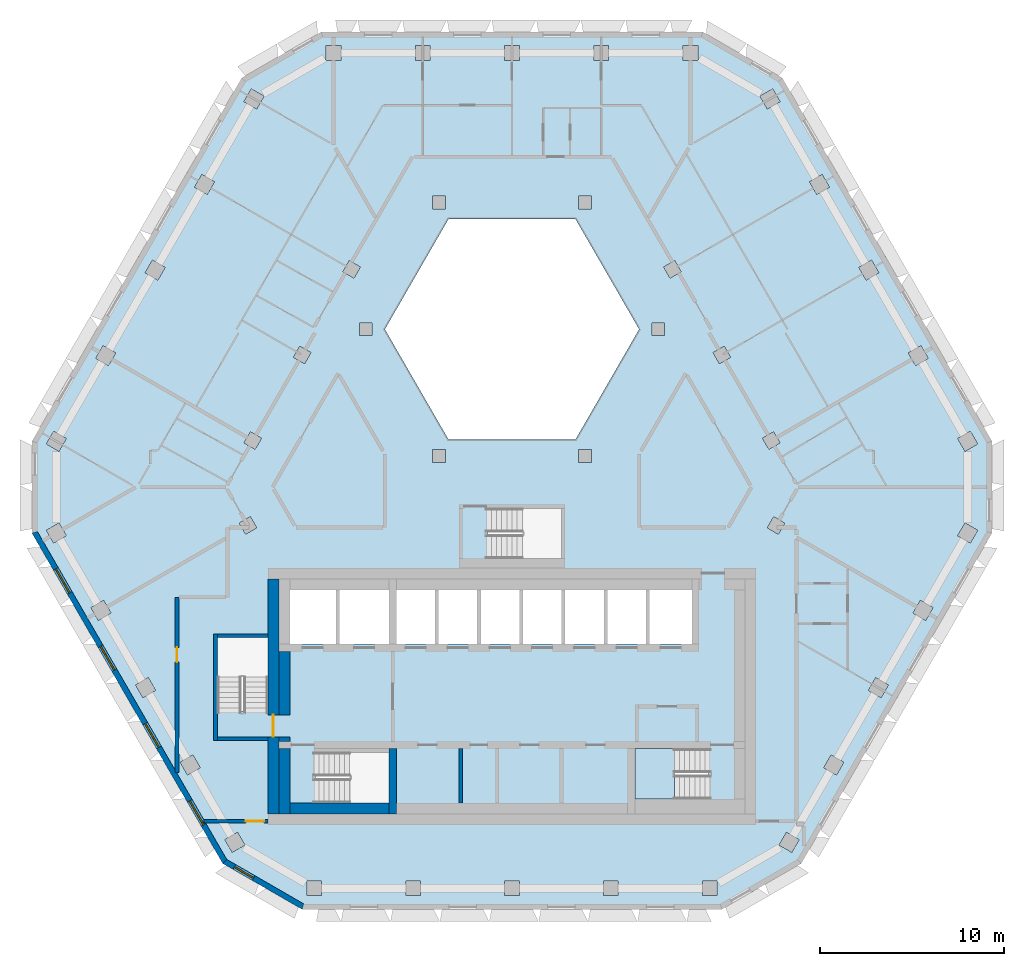
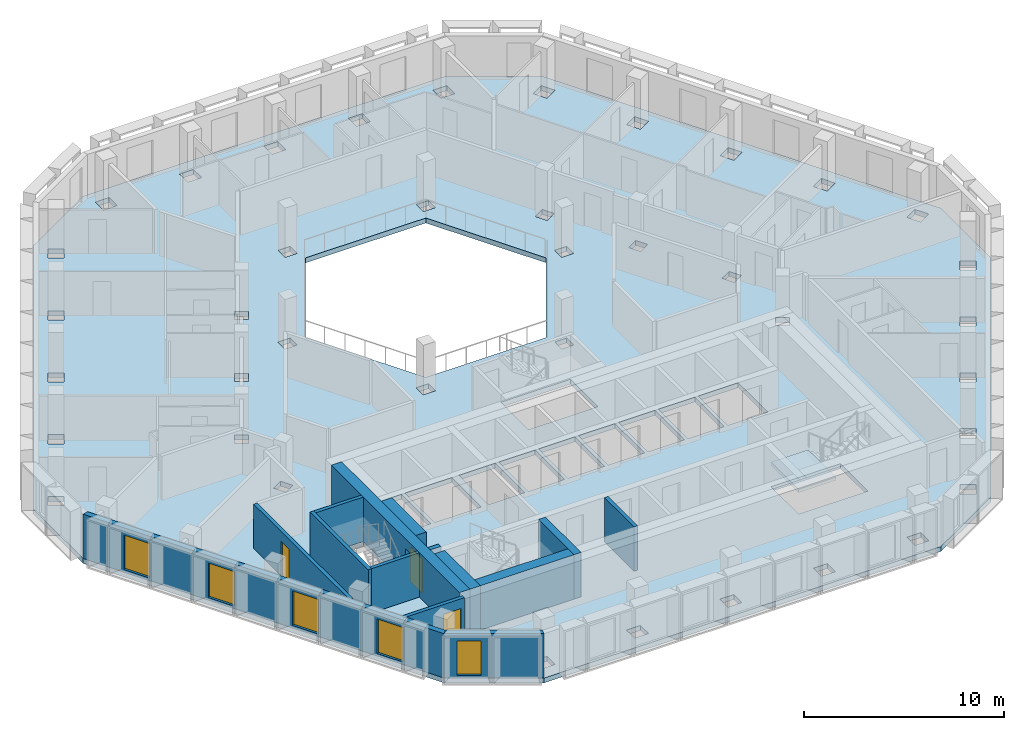
# One storey, part 2 of 15: 14 walls, 5 windows, 3 doors, 2 slabs, 8 openings, 1 element without a shape of its own.
"""IFC4 building model written with IfcOpenShell, lengths in metres."""

from ifc_helpers import new_model, si_unit, direction, frame, frame_2d, origin, place, context, subcontext, project, spatial, polyline, rectangle, outline, extrude, material, layer, layer_set, type_object, element, fill, aggregate, save


model = new_model("IFC4")

# Units and contexts
model_context = context("Model", 3, precision=1e-05, world=origin(), true_north=direction((0.0, 1.0)))
body_context = subcontext(model_context, "Body", "Model", "MODEL_VIEW")
ifc_project = project(units=[si_unit("LENGTHUNIT", "METRE"), si_unit("AREAUNIT", "SQUARE_METRE"), si_unit("VOLUMEUNIT", "CUBIC_METRE"), si_unit("PLANEANGLEUNIT", "RADIAN"), si_unit("MASSUNIT", "GRAM", prefix="KILO")], contexts=[model_context])

# Site, building, storey
site_placement = place(None, origin())
site = spatial("IfcSite", under=ifc_project, at=site_placement, CompositionType="ELEMENT")
building_placement = place(site_placement, origin())
building = spatial("IfcBuilding", under=site, at=building_placement, Name="Beryl Residences", CompositionType="ELEMENT")
storey_placement = place(building_placement, frame((0.0, 0.0, 187.199951171875)))
storey = spatial("IfcBuildingStorey", under=building, at=storey_placement, Name="L57", CompositionType="ELEMENT", Elevation=187.199951171875)

# Slab
ifc_material_1 = material(Name="Concrete C40/50", Category="concrete")
ifc_layer_1 = layer(ifc_material_1, 0.300048828125)
ifc_layer_set_1 = layer_set([ifc_layer_1], Name="SL7 PT floor slab 300 mm C40/50")
slab_type_1 = type_object("IfcSlabType", Name="SL7 PT floor slab 300 mm C40/50", PredefinedType="FLOOR", material=ifc_layer_set_1)
slab_1_placement = place(storey_placement, frame((0.0, 0.0, -0.300048828125)))
element("IfcSlab", 1, at=slab_1_placement, inside=storey, type_object=slab_type_1, Name="L57 slab 1", PredefinedType="FLOOR", context=body_context, shape_type="SweptSolid", body=[
    extrude(outline(polyline([(26.154052734375, -3.10009765625), (15.760986328125, -21.10009765625), (11.430908203125, -23.60009765625), (-11.430908203125, -23.60009765625), (-15.760986328125, -21.10009765625), (-26.154052734375, -3.10009765625), (-26.154052734375, 1.89990234375), (-14.721923828125, 21.699951171875), (-10.39208984375, 24.199951171875), (10.39208984375, 24.199951171875), (14.721923828125, 21.699951171875), (26.154052734375, 1.89990234375), (26.154052734375, -3.10009765625)]), holes=[polyline([(24.971923828125, 2.446044921875), (24.280029296875, 2.0458984375), (24.679931640625, 1.35400390625), (25.3720703125, 1.75390625), (24.971923828125, 2.446044921875)]), polyline([(24.678955078125, -2.554931640625), (24.279052734375, -3.2470703125), (24.970947265625, -3.64697265625), (25.37109375, -2.955078125), (24.678955078125, -2.554931640625)]), polyline([(22.2470703125, -6.76806640625), (21.846923828125, -7.4599609375), (22.5390625, -7.860107421875), (22.93896484375, -7.16796875), (22.2470703125, -6.76806640625)]), polyline([(22.280029296875, 7.10791015625), (21.587890625, 6.7080078125), (21.988037109375, 6.01611328125), (22.679931640625, 6.416015625), (22.280029296875, 7.10791015625)]), polyline([(19.4150390625, -11.672119140625), (20.10693359375, -12.072021484375), (20.507080078125, -11.3798828125), (19.81494140625, -10.97998046875), (19.4150390625, -11.672119140625)]), polyline([(18.89599609375, 11.37109375), (19.2958984375, 10.678955078125), (19.988037109375, 11.0791015625), (19.587890625, 11.77099609375), (18.89599609375, 11.37109375)]), polyline([(18.074951171875, -15.592041015625), (17.383056640625, -15.19189453125), (16.98291015625, -15.884033203125), (17.675048828125, -16.283935546875), (18.074951171875, -15.592041015625)]), polyline([(16.89599609375, 16.43408203125), (16.2041015625, 16.033935546875), (16.60400390625, 15.342041015625), (17.2958984375, 15.741943359375), (16.89599609375, 16.43408203125)]), polyline([(15.64306640625, -19.804931640625), (14.950927734375, -19.405029296875), (14.551025390625, -20.096923828125), (15.242919921875, -20.4970703125), (15.64306640625, -19.804931640625)]), polyline([(14.860107421875, -2.56103515625), (14.25390625, -2.2109375), (13.904052734375, -2.81689453125), (14.510009765625, -3.1669921875), (14.860107421875, -2.56103515625)]), polyline([(14.2041015625, 21.095947265625), (13.511962890625, 20.696044921875), (13.912109375, 20.00390625), (14.60400390625, 20.404052734375), (14.2041015625, 21.095947265625)]), polyline([(13.64501953125, 2.06494140625), (13.9951171875, 1.458984375), (14.60107421875, 1.80908203125), (14.2509765625, 2.4150390625), (13.64501953125, 2.06494140625)]), polyline([(11.55908203125, 7.077880859375), (10.952880859375, 6.72802734375), (11.302978515625, 6.1220703125), (11.908935546875, 6.471923828125), (11.55908203125, 7.077880859375)]), polyline([(11.1689453125, -22.050048828125), (10.368896484375, -22.050048828125), (10.368896484375, -22.85009765625), (11.1689453125, -22.85009765625), (11.1689453125, -22.050048828125)]), polyline([(6.699951171875, -14.85009765625), (6.699951171875, -17.60009765625), (10.699951171875, -17.60009765625), (10.699951171875, -14.85009765625), (6.699951171875, -14.85009765625)]), polyline([(9.327880859375, 23.449951171875), (9.327880859375, 22.64990234375), (10.1279296875, 22.64990234375), (10.1279296875, 23.449951171875), (9.327880859375, 23.449951171875)]), polyline([(7.5, -9.14990234375), (9.800048828125, -9.14990234375), (9.800048828125, -6.199951171875), (7.5, -6.199951171875), (7.5, -9.14990234375)]), polyline([(8.260986328125, 11.39111328125), (8.611083984375, 10.784912109375), (9.217041015625, 11.135009765625), (8.866943359375, 11.740966796875), (8.260986328125, 11.39111328125)]), polyline([(8.31689453125, 7.64990234375), (8.31689453125, 8.35009765625), (7.616943359375, 8.35009765625), (7.616943359375, 7.64990234375), (8.31689453125, 7.64990234375)]), polyline([(5.199951171875, -9.14990234375), (7.300048828125, -9.14990234375), (7.300048828125, -6.199951171875), (5.199951171875, -6.199951171875), (5.199951171875, -9.14990234375)]), polyline([(3.464111328125, 14.0), (-3.464111328125, 14.0), (-6.92822265625, 8.0), (-3.464111328125, 2.0), (3.464111328125, 2.0), (6.92822265625, 8.0), (3.464111328125, 14.0)]), polyline([(5.784912109375, -22.85009765625), (5.784912109375, -22.050048828125), (4.985107421875, -22.050048828125), (4.985107421875, -22.85009765625), (5.784912109375, -22.85009765625)]), polyline([(4.464111328125, 23.449951171875), (4.464111328125, 22.64990234375), (5.263916015625, 22.64990234375), (5.263916015625, 23.449951171875), (4.464111328125, 23.449951171875)]), polyline([(5.0, -9.14990234375), (5.0, -6.199951171875), (2.89990234375, -6.199951171875), (2.89990234375, -9.14990234375), (5.0, -9.14990234375)]), polyline([(4.333984375, 14.550048828125), (4.333984375, 15.25), (3.634033203125, 15.25), (3.634033203125, 14.550048828125), (4.333984375, 14.550048828125)]), polyline([(4.333984375, 1.449951171875), (3.634033203125, 1.449951171875), (3.634033203125, 0.75), (4.333984375, 0.75), (4.333984375, 1.449951171875)]), polyline([(2.699951171875, -4.5), (2.699951171875, -1.75), (-1.300048828125, -1.75), (-1.300048828125, -4.5), (2.699951171875, -4.5)]), polyline([(0.60009765625, -9.14990234375), (2.699951171875, -9.14990234375), (2.699951171875, -6.199951171875), (0.60009765625, -6.199951171875), (0.60009765625, -9.14990234375)]), polyline([(-0.39892578125, -22.050048828125), (-0.39892578125, -22.85009765625), (0.40087890625, -22.85009765625), (0.40087890625, -22.050048828125), (-0.39892578125, -22.050048828125)]), polyline([(0.39990234375, 22.64990234375), (0.39990234375, 23.449951171875), (-0.39990234375, 23.449951171875), (-0.39990234375, 22.64990234375), (0.39990234375, 22.64990234375)]), polyline([(0.39990234375, -6.199951171875), (-1.699951171875, -6.199951171875), (-1.699951171875, -9.14990234375), (0.39990234375, -9.14990234375), (0.39990234375, -6.199951171875)]), polyline([(-4.0, -9.14990234375), (-1.89990234375, -9.14990234375), (-1.89990234375, -6.199951171875), (-4.0, -6.199951171875), (-4.0, -9.14990234375)]), polyline([(-3.634033203125, 15.25), (-4.333984375, 15.25), (-4.333984375, 14.550048828125), (-3.634033203125, 14.550048828125), (-3.634033203125, 15.25)]), polyline([(-3.634033203125, 0.75), (-3.634033203125, 1.449951171875), (-4.333984375, 1.449951171875), (-4.333984375, 0.75), (-3.634033203125, 0.75)]), polyline([(-6.300048828125, -9.14990234375), (-4.199951171875, -9.14990234375), (-4.199951171875, -6.199951171875), (-6.300048828125, -6.199951171875), (-6.300048828125, -9.14990234375)]), polyline([(-5.263916015625, 23.449951171875), (-5.263916015625, 22.64990234375), (-4.464111328125, 22.64990234375), (-4.464111328125, 23.449951171875), (-5.263916015625, 23.449951171875)]), polyline([(-4.98291015625, -22.85009765625), (-4.98291015625, -22.050048828125), (-5.782958984375, -22.050048828125), (-5.782958984375, -22.85009765625), (-4.98291015625, -22.85009765625)]), polyline([(-6.699951171875, -6.199951171875), (-9.39990234375, -6.199951171875), (-9.39990234375, -9.14990234375), (-6.699951171875, -9.14990234375), (-6.699951171875, -6.199951171875)]), polyline([(-10.699951171875, -15.050048828125), (-10.699951171875, -17.800048828125), (-6.699951171875, -17.800048828125), (-6.699951171875, -15.050048828125), (-10.699951171875, -15.050048828125)]), polyline([(-7.616943359375, 7.64990234375), (-7.616943359375, 8.35009765625), (-8.31689453125, 8.35009765625), (-8.31689453125, 7.64990234375), (-7.616943359375, 7.64990234375)]), polyline([(-8.611083984375, 10.784912109375), (-8.260986328125, 11.39111328125), (-8.866943359375, 11.740966796875), (-9.217041015625, 11.135009765625), (-8.611083984375, 10.784912109375)]), polyline([(-10.1279296875, 23.449951171875), (-10.1279296875, 22.64990234375), (-9.327880859375, 22.64990234375), (-9.327880859375, 23.449951171875), (-10.1279296875, 23.449951171875)]), polyline([(-12.10009765625, -9.14990234375), (-9.60009765625, -9.14990234375), (-9.60009765625, -6.199951171875), (-12.10009765625, -6.199951171875), (-12.10009765625, -9.14990234375)]), polyline([(-11.1669921875, -22.050048828125), (-11.1669921875, -22.85009765625), (-10.366943359375, -22.85009765625), (-10.366943359375, -22.050048828125), (-11.1669921875, -22.050048828125)]), polyline([(-11.908935546875, 6.471923828125), (-11.302978515625, 6.1220703125), (-10.952880859375, 6.72802734375), (-11.55908203125, 7.077880859375), (-11.908935546875, 6.471923828125)]), polyline([(-13.300048828125, -8.800048828125), (-16.050048828125, -8.800048828125), (-16.050048828125, -12.800048828125), (-13.300048828125, -12.800048828125), (-13.300048828125, -8.800048828125)]), polyline([(-13.912109375, 20.00390625), (-13.511962890625, 20.696044921875), (-14.2041015625, 21.095947265625), (-14.60400390625, 20.404052734375), (-13.912109375, 20.00390625)]), polyline([(-13.9951171875, 1.458984375), (-13.64501953125, 2.06494140625), (-14.2509765625, 2.4150390625), (-14.60107421875, 1.80908203125), (-13.9951171875, 1.458984375)]), polyline([(-14.510986328125, -3.1650390625), (-13.905029296875, -2.81494140625), (-14.2548828125, -2.208984375), (-14.861083984375, -2.55908203125), (-14.510986328125, -3.1650390625)]), polyline([(-14.552001953125, -20.094970703125), (-14.951904296875, -19.403076171875), (-15.64404296875, -19.802978515625), (-15.243896484375, -20.4951171875), (-14.552001953125, -20.094970703125)]), polyline([(-16.60400390625, 15.342041015625), (-16.2041015625, 16.033935546875), (-16.89599609375, 16.43408203125), (-17.2958984375, 15.741943359375), (-16.60400390625, 15.342041015625)]), polyline([(-16.98388671875, -15.882080078125), (-17.384033203125, -15.18994140625), (-18.075927734375, -15.590087890625), (-17.676025390625, -16.281982421875), (-16.98388671875, -15.882080078125)]), polyline([(-18.89599609375, 11.37109375), (-19.587890625, 11.77099609375), (-19.988037109375, 11.0791015625), (-19.2958984375, 10.678955078125), (-18.89599609375, 11.37109375)]), polyline([(-20.10791015625, -12.070068359375), (-19.416015625, -11.669921875), (-19.81591796875, -10.97802734375), (-20.508056640625, -11.3779296875), (-20.10791015625, -12.070068359375)]), polyline([(-22.679931640625, 6.416015625), (-21.988037109375, 6.01611328125), (-21.587890625, 6.7080078125), (-22.280029296875, 7.10791015625), (-22.679931640625, 6.416015625)]), polyline([(-21.847900390625, -7.4580078125), (-22.248046875, -6.76611328125), (-22.93994140625, -7.166015625), (-22.5400390625, -7.85791015625), (-21.847900390625, -7.4580078125)]), polyline([(-25.3720703125, 1.75390625), (-24.679931640625, 1.35400390625), (-24.280029296875, 2.0458984375), (-24.971923828125, 2.446044921875), (-25.3720703125, 1.75390625)]), polyline([(-24.280029296875, -3.2451171875), (-24.679931640625, -2.552978515625), (-25.3720703125, -2.952880859375), (-24.971923828125, -3.64501953125), (-24.280029296875, -3.2451171875)])]), origin(), (0.0, 0.0, 1.0), 0.300048828125),
])

# Stair, slab
ifc_material_2 = material(Name="Concrete C40/50", Category="concrete")
stair_type = type_object("IfcStairType", Name="ST1 protected exit stair, half-turn, 1300 mm flights", PredefinedType="HALF_TURN_STAIR", material=ifc_material_2)
stair_placement = place(storey_placement, origin())
stair = element("IfcStair", 2, at=stair_placement, inside=storey, type_object=stair_type, Name="L57 PROTECTED EXIT STAIR ST-3", PredefinedType="HALF_TURN_STAIR")
ifc_material_3 = material(Name="Concrete C40/50", Category="concrete")
ifc_layer_2 = layer(ifc_material_3, 0.199951171875)
ifc_layer_set_2 = layer_set([ifc_layer_2], Name="SLD1 stair landing 200 mm")
slab_type_2 = type_object("IfcSlabType", Name="SLD1 stair landing 200 mm", PredefinedType="LANDING", material=ifc_layer_set_2)
slab_2_placement = place(storey_placement, frame((0.0, 0.0, 1.300048828125)))
slab_2 = element("IfcSlab", 3, at=slab_2_placement, type_object=slab_type_2, Name="ST-3 landing 1", PredefinedType="LANDING", context=body_context, shape_type="SweptSolid", body=[
    extrude(outline(polyline([(8.840087890625, -14.85009765625), (6.699951171875, -14.85009765625), (6.699951171875, -17.60009765625), (8.840087890625, -17.60009765625), (8.840087890625, -14.85009765625)])), origin(), (0.0, 0.0, 1.0), 0.199951171875),
])
aggregate(stair, [slab_2])

# Wall, openings, windows
ifc_material_4 = material(Name="Composite metal panel with mineral wool insulation")
ifc_layer_3 = layer(ifc_material_4, 0.300048828125)
ifc_layer_set_3 = layer_set([ifc_layer_3], Name="ES1 pale metal composite panel wall 300 mm")
wall_type_1 = type_object("IfcWallType", Name="ES1 pale metal composite panel wall 300 mm", PredefinedType="SOLIDWALL", material=ifc_layer_set_3)
wall_1_placement = place(storey_placement, frame((-26.02392578125, -3.02490234375, 0.0), z_axis=(0.0, 0.0, 1.0), x_axis=(0.500018670445, -0.86601462413, 0.0)))
wall_1 = element("IfcWall", 4, at=wall_1_placement, inside=storey, type_object=wall_type_1, Name="ES1 external wall L57 SW", PredefinedType="SOLIDWALL", context=body_context, shape_type="SweptSolid", body=[
    extrude(outline(polyline([(0.0, -0.14990234375), (20.784912109375, -0.14990234375), (20.70458984375, 0.14990234375), (0.080322265625, 0.14990234375), (0.0, -0.14990234375)])), origin(), (0.0, 0.0, 1.0), 2.699951171875),
])
opening_1_placement = place(wall_1_placement, frame((2.345947265625, 0.0, 0.14990234375)))
opening_1 = element("IfcOpeningElement", 5, at=opening_1_placement, cuts=wall_1, Name="Opening W1", PredefinedType="OPENING", context=body_context, shape_type="SweptSolid", body=[
    extrude(rectangle(XDim=1.5, YDim=2.10009765625, at=frame_2d((0.75, 1.050048828125))), frame((0.0, 0.159912109375, 0.0), z_axis=(0.0, -1.0, 0.0), x_axis=(1.0, 0.0, 0.0)), (0.0, 0.0, 1.0), 0.320068359375),
])
opening_2_placement = place(wall_1_placement, frame((7.2099609375, 0.0, 0.14990234375)))
opening_2 = element("IfcOpeningElement", 6, at=opening_2_placement, cuts=wall_1, Name="Opening W1", PredefinedType="OPENING", context=body_context, shape_type="SweptSolid", body=[
    extrude(rectangle(XDim=1.5, YDim=2.10009765625, at=frame_2d((0.75, 1.050048828125))), frame((0.0, 0.159912109375, 0.0), z_axis=(0.0, -1.0, 0.0), x_axis=(1.0, 0.0, 0.0)), (0.0, 0.0, 1.0), 0.320068359375),
])
opening_3_placement = place(wall_1_placement, frame((12.072998046875, 0.0, 0.14990234375)))
opening_3 = element("IfcOpeningElement", 7, at=opening_3_placement, cuts=wall_1, Name="Opening W1", PredefinedType="OPENING", context=body_context, shape_type="SweptSolid", body=[
    extrude(rectangle(XDim=1.5, YDim=2.10009765625, at=frame_2d((0.75, 1.050048828125))), frame((0.0, 0.159912109375, 0.0), z_axis=(0.0, -1.0, 0.0), x_axis=(1.0, 0.0, 0.0)), (0.0, 0.0, 1.0), 0.320068359375),
])
opening_4_placement = place(wall_1_placement, frame((16.93798828125, 0.0, 0.14990234375)))
opening_4 = element("IfcOpeningElement", 8, at=opening_4_placement, cuts=wall_1, Name="Opening W1", PredefinedType="OPENING", context=body_context, shape_type="SweptSolid", body=[
    extrude(rectangle(XDim=1.5, YDim=2.10009765625, at=frame_2d((0.75, 1.050048828125))), frame((0.0, 0.159912109375, 0.0), z_axis=(0.0, -1.0, 0.0), x_axis=(1.0, 0.0, 0.0)), (0.0, 0.0, 1.0), 0.320068359375),
])
ifc_material_5 = material(Name="Aluminium and clear glass", Category="aluminium")
window_type_1 = type_object("IfcWindowType", Name="W1 cell window 1500 x 2100 mm", PartitioningType="SINGLE_PANEL", PredefinedType="WINDOW", material=ifc_material_5)
window_1_placement = place(opening_1_placement, origin())
window_1 = element("IfcWindow", 9, at=window_1_placement, inside=storey, type_object=window_type_1, Name="W1 window L57 SW 2", OverallHeight=2.10009765625, OverallWidth=1.5, PartitioningType="SINGLE_PANEL", PredefinedType="WINDOW", context=body_context, shape_type="SweptSolid", body=[
    extrude(rectangle(XDim=1.5, YDim=2.10009765625, at=frame_2d((0.75, 1.050048828125))), frame((0.0, 0.030029296875, 0.0), z_axis=(0.0, -1.0, 0.0), x_axis=(1.0, 0.0, 0.0)), (0.0, 0.0, 1.0), 0.06005859375),
])
fill(opening_1, window_1)
window_2_placement = place(opening_2_placement, origin())
window_2 = element("IfcWindow", 10, at=window_2_placement, inside=storey, type_object=window_type_1, Name="W1 window L57 SW 4", OverallHeight=2.10009765625, OverallWidth=1.5, PartitioningType="SINGLE_PANEL", PredefinedType="WINDOW", context=body_context, shape_type="SweptSolid", body=[
    extrude(rectangle(XDim=1.5, YDim=2.10009765625, at=frame_2d((0.75, 1.050048828125))), frame((0.0, 0.030029296875, 0.0), z_axis=(0.0, -1.0, 0.0), x_axis=(1.0, 0.0, 0.0)), (0.0, 0.0, 1.0), 0.06005859375),
])
fill(opening_2, window_2)
window_3_placement = place(opening_3_placement, origin())
window_3 = element("IfcWindow", 11, at=window_3_placement, inside=storey, type_object=window_type_1, Name="W1 window L57 SW 6", OverallHeight=2.10009765625, OverallWidth=1.5, PartitioningType="SINGLE_PANEL", PredefinedType="WINDOW", context=body_context, shape_type="SweptSolid", body=[
    extrude(rectangle(XDim=1.5, YDim=2.10009765625, at=frame_2d((0.75, 1.050048828125))), frame((0.0, 0.030029296875, 0.0), z_axis=(0.0, -1.0, 0.0), x_axis=(1.0, 0.0, 0.0)), (0.0, 0.0, 1.0), 0.06005859375),
])
fill(opening_3, window_3)
window_4_placement = place(opening_4_placement, origin())
window_4 = element("IfcWindow", 12, at=window_4_placement, inside=storey, type_object=window_type_1, Name="W1 window L57 SW 8", OverallHeight=2.10009765625, OverallWidth=1.5, PartitioningType="SINGLE_PANEL", PredefinedType="WINDOW", context=body_context, shape_type="SweptSolid", body=[
    extrude(rectangle(XDim=1.5, YDim=2.10009765625, at=frame_2d((0.75, 1.050048828125))), frame((0.0, 0.030029296875, 0.0), z_axis=(0.0, -1.0, 0.0), x_axis=(1.0, 0.0, 0.0)), (0.0, 0.0, 1.0), 0.06005859375),
])
fill(opening_4, window_4)

# Wall, opening, window
wall_2_placement = place(storey_placement, frame((-15.68603515625, -20.969970703125, 0.0), z_axis=(0.0, 0.0, 1.0), x_axis=(0.866022959057, -0.500004234368, 0.0)))
wall_2 = element("IfcWall", 13, at=wall_2_placement, inside=storey, type_object=wall_type_1, Name="ES1 external wall L57 SW-S", PredefinedType="SOLIDWALL", context=body_context, shape_type="SweptSolid", body=[
    extrude(outline(polyline([(0.0, -0.14990234375), (5.0, -0.14990234375), (4.919677734375, 0.14990234375), (0.080322265625, 0.14990234375), (0.0, -0.14990234375)])), origin(), (0.0, 0.0, 1.0), 2.699951171875),
])
opening_5_placement = place(wall_2_placement, frame((0.64990234375, 0.0, 0.14990234375)))
opening_5 = element("IfcOpeningElement", 14, at=opening_5_placement, cuts=wall_2, Name="Opening W2", PredefinedType="OPENING", context=body_context, shape_type="SweptSolid", body=[
    extrude(rectangle(XDim=1.199951171875, YDim=2.10009765625, at=frame_2d((0.60009765625, 1.050048828125))), frame((0.0, 0.159912109375, 0.0), z_axis=(0.0, -1.0, 0.0), x_axis=(1.0, 0.0, 0.0)), (0.0, 0.0, 1.0), 0.320068359375),
])
ifc_material_6 = material(Name="Aluminium and clear glass", Category="aluminium")
window_type_2 = type_object("IfcWindowType", Name="W2 chamfer window 1200 x 2100 mm", PartitioningType="SINGLE_PANEL", PredefinedType="WINDOW", material=ifc_material_6)
window_5_placement = place(opening_5_placement, origin())
window_5 = element("IfcWindow", 15, at=window_5_placement, inside=storey, type_object=window_type_2, Name="W2 window L57 SW-S 1", OverallHeight=2.10009765625, OverallWidth=1.199951171875, PartitioningType="SINGLE_PANEL", PredefinedType="WINDOW", context=body_context, shape_type="SweptSolid", body=[
    extrude(rectangle(XDim=1.199951171875, YDim=2.10009765625, at=frame_2d((0.60009765625, 1.050048828125))), frame((0.0, 0.030029296875, 0.0), z_axis=(0.0, -1.0, 0.0), x_axis=(1.0, 0.0, 0.0)), (0.0, 0.0, 1.0), 0.06005859375),
])
fill(opening_5, window_5)

# Walls
ifc_material_7 = material(Name="Concrete masonry", Category="masonry")
ifc_layer_4 = layer(ifc_material_7, 0.25)
ifc_layer_set_4 = layer_set([ifc_layer_4], Name="PT13-250 lobby wall 250 mm")
wall_type_2 = type_object("IfcWallType", Name="PT13-250 lobby wall 250 mm", PredefinedType="PARTITIONING", material=ifc_layer_set_4)
wall_3_placement = place(storey_placement, frame((-12.699951171875, -14.324951171875, 0.0), z_axis=(0.0, 0.0, 1.0), x_axis=(1.0, 0.0, 0.0)))
element("IfcWall", 16, at=wall_3_placement, inside=storey, type_object=wall_type_2, Name="Lobby wall 05", PredefinedType="PARTITIONING", context=body_context, shape_type="SweptSolid", body=[
    extrude(rectangle(XDim=0.599853515625, YDim=0.25, at=frame_2d((0.2998046875, 0.0))), origin(), (0.0, 0.0, 1.0), 2.699951171875),
])
ifc_material_8 = material(Name="Concrete masonry", Category="masonry")
ifc_layer_5 = layer(ifc_material_8, 0.60009765625)
ifc_layer_set_5 = layer_set([ifc_layer_5], Name="PT13-600 lobby wall 600 mm")
wall_type_3 = type_object("IfcWallType", Name="PT13-600 lobby wall 600 mm", PredefinedType="PARTITIONING", material=ifc_layer_set_5)
wall_4_placement = place(storey_placement, frame((-12.39990234375, -13.0, 0.0), z_axis=(0.0, 0.0, 1.0), x_axis=(0.0, 1.0, 0.0)))
element("IfcWall", 17, at=wall_4_placement, inside=storey, type_object=wall_type_3, Name="Lobby wall 06", PredefinedType="PARTITIONING", context=body_context, shape_type="SweptSolid", body=[
    extrude(rectangle(XDim=3.449951171875, YDim=0.60009765625, at=frame_2d((1.72509765625, 0.0))), origin(), (0.0, 0.0, 1.0), 2.699951171875),
])

# Wall, opening, door
ifc_material_9 = material(Name="Double stud gypsum board wall")
ifc_layer_6 = layer(ifc_material_9, 0.199951171875)
ifc_layer_set_6 = layer_set([ifc_layer_6], Name="PT4 corridor wall 200 mm double stud")
wall_type_4 = type_object("IfcWallType", Name="PT4 corridor wall 200 mm double stud", PredefinedType="PARTITIONING", material=ifc_layer_set_6)
wall_5_placement = place(storey_placement, frame((-18.25, -16.152099609375, 0.0), z_axis=(0.0, 0.0, 1.0), x_axis=(0.0, 1.0, 0.0)))
wall_5 = element("IfcWall", 18, at=wall_5_placement, inside=storey, type_object=wall_type_4, Name="Wall PT4 L57 025", PredefinedType="PARTITIONING", context=body_context, shape_type="SweptSolid", body=[
    extrude(rectangle(XDim=9.551025390625, YDim=0.199951171875, at=frame_2d((4.775390625, 0.0))), origin(), (0.0, 0.0, 1.0), 2.699951171875),
])
opening_6_placement = place(wall_5_placement, frame((6.02587890625, 0.0, 0.0)))
opening_6 = element("IfcOpeningElement", 19, at=opening_6_placement, cuts=wall_5, Name="Opening D1731", PredefinedType="OPENING", context=body_context, shape_type="SweptSolid", body=[
    extrude(rectangle(XDim=0.800048828125, YDim=2.10009765625, at=frame_2d((0.39990234375, 1.050048828125))), frame((0.0, 0.10986328125, 0.0), z_axis=(0.0, -1.0, 0.0), x_axis=(1.0, 0.0, 0.0)), (0.0, 0.0, 1.0), 0.219970703125),
])
ifc_material_10 = material(Name="Timber door leaf", Category="wood")
door_type_1 = type_object("IfcDoorType", Name="D3 bathroom door 800 x 2100 mm", OperationType="SINGLE_SWING_LEFT", PredefinedType="DOOR", material=ifc_material_10)
door_1_placement = place(opening_6_placement, origin())
door_1 = element("IfcDoor", 20, at=door_1_placement, inside=storey, type_object=door_type_1, Name="Door D1731 L57 001", OperationType="SINGLE_SWING_LEFT", OverallHeight=2.10009765625, OverallWidth=0.800048828125, PredefinedType="DOOR", context=body_context, shape_type="SweptSolid", body=[
    extrude(rectangle(XDim=0.800048828125, YDim=2.10009765625, at=frame_2d((0.39990234375, 1.050048828125))), frame((0.0, 0.02490234375, 0.0), z_axis=(0.0, -1.0, 0.0), x_axis=(1.0, 0.0, 0.0)), (0.0, 0.0, 1.0), 0.050048828125),
])
fill(opening_6, door_1)

wall_6_placement = place(storey_placement, frame((-16.7919921875, -18.800048828125, 0.0), z_axis=(0.0, 0.0, 1.0), x_axis=(1.0, 0.0, 0.0)))
wall_6 = element("IfcWall", 21, at=wall_6_placement, inside=storey, type_object=wall_type_4, Name="Wall PT4 L57 026", PredefinedType="PARTITIONING", context=body_context, shape_type="SweptSolid", body=[
    extrude(rectangle(XDim=3.491943359375, YDim=0.199951171875, at=frame_2d((1.74609375, 0.0))), origin(), (0.0, 0.0, 1.0), 2.699951171875),
])
opening_7_placement = place(wall_6_placement, frame((2.2919921875, 0.0, 0.0)))
opening_7 = element("IfcOpeningElement", 22, at=opening_7_placement, cuts=wall_6, Name="Opening D1745", PredefinedType="OPENING", context=body_context, shape_type="SweptSolid", body=[
    extrude(rectangle(XDim=1.0, YDim=2.10009765625, at=frame_2d((0.5, 1.050048828125))), frame((0.0, 0.10986328125, 0.0), z_axis=(0.0, -1.0, 0.0), x_axis=(1.0, 0.0, 0.0)), (0.0, 0.0, 1.0), 0.219970703125),
])
ifc_material_11 = material(Name="Timber door leaf", Category="wood")
door_type_2 = type_object("IfcDoorType", Name="D1 flat entrance door 1000 x 2100 mm", OperationType="SINGLE_SWING_LEFT", PredefinedType="DOOR", material=ifc_material_11)
door_2_placement = place(opening_7_placement, origin())
door_2 = element("IfcDoor", 23, at=door_2_placement, inside=storey, type_object=door_type_2, Name="Door D1745 L57 001", OperationType="SINGLE_SWING_RIGHT", OverallHeight=2.10009765625, OverallWidth=1.0, PredefinedType="DOOR", context=body_context, shape_type="SweptSolid", body=[
    extrude(rectangle(XDim=1.0, YDim=2.10009765625, at=frame_2d((0.5, 1.050048828125))), frame((0.0, 0.02490234375, 0.0), z_axis=(0.0, -1.0, 0.0), x_axis=(1.0, 0.0, 0.0)), (0.0, 0.0, 1.0), 0.050048828125),
])
fill(opening_7, door_2)

# Walls
ifc_material_12 = material(Name="Concrete C40/50", Category="concrete")
ifc_layer_7 = layer(ifc_material_12, 0.199951171875)
ifc_layer_set_7 = layer_set([ifc_layer_7], Name="PT5 stair enclosure wall 200 mm reinforced concrete C40/50")
wall_type_5 = type_object("IfcWallType", Name="PT5 stair enclosure wall 200 mm reinforced concrete C40/50", PredefinedType="SOLIDWALL", material=ifc_layer_set_7)
wall_7_placement = place(storey_placement, frame((-16.14990234375, -14.39990234375, 0.0), z_axis=(0.0, 0.0, 1.0), x_axis=(0.0, 1.0, 0.0)))
element("IfcWall", 24, at=wall_7_placement, inside=storey, type_object=wall_type_5, Name="Stair wall 01", PredefinedType="SOLIDWALL", context=body_context, shape_type="SweptSolid", body=[
    extrude(rectangle(XDim=5.7998046875, YDim=0.199951171875, at=frame_2d((2.89990234375, 0.0))), origin(), (0.0, 0.0, 1.0), 2.699951171875),
])
for number, where, z_axis, x_axis, name in (
    (25, (-16.050048828125, -14.300048828125, 0.0), (0.0, 0.0, 1.0), (1.0, 0.0, 0.0), "Stair wall 02"),
    (26, (-16.050048828125, -8.699951171875, 0.0), (0.0, 0.0, 1.0), (1.0, 0.0, 0.0), "Stair wall 03"),
):
    element("IfcWall", number, at=place(storey_placement, frame(where, z_axis=z_axis, x_axis=x_axis)), inside=storey, type_object=wall_type_5, Name=name, PredefinedType="SOLIDWALL", context=body_context, shape_type="SweptSolid", body=[
        extrude(rectangle(XDim=2.75, YDim=0.199951171875, at=frame_2d((1.375, 0.0))), origin(), (0.0, 0.0, 1.0), 2.699951171875),
    ])
ifc_material_13 = material(Name="Concrete C40/50", Category="concrete")
ifc_layer_8 = layer(ifc_material_13, 0.60009765625)
ifc_layer_set_8 = layer_set([ifc_layer_8], Name="PT5-600 stair enclosure wall 600 mm")
wall_type_6 = type_object("IfcWallType", Name="PT5-600 stair enclosure wall 600 mm", PredefinedType="SOLIDWALL", material=ifc_layer_set_8)
wall_8_placement = place(storey_placement, frame((-12.39990234375, -18.39990234375, 0.0), z_axis=(0.0, 0.0, 1.0), x_axis=(0.0, 1.0, 0.0)))
element("IfcWall", 27, at=wall_8_placement, inside=storey, type_object=wall_type_6, Name="Stair wall 04", PredefinedType="SOLIDWALL", context=body_context, shape_type="SweptSolid", body=[
    extrude(rectangle(XDim=3.5498046875, YDim=0.60009765625, at=frame_2d((1.77490234375, 0.0))), origin(), (0.0, 0.0, 1.0), 2.699951171875),
])
wall_9_placement = place(storey_placement, frame((-12.10009765625, -18.10009765625, 0.0), z_axis=(0.0, 0.0, 1.0), x_axis=(1.0, 0.0, 0.0)))
element("IfcWall", 28, at=wall_9_placement, inside=storey, type_object=wall_type_6, Name="Stair wall 08", PredefinedType="SOLIDWALL", context=body_context, shape_type="SweptSolid", body=[
    extrude(rectangle(XDim=5.400146484375, YDim=0.60009765625, at=frame_2d((2.7001953125, 0.0))), origin(), (0.0, 0.0, 1.0), 2.699951171875),
])
ifc_material_14 = material(Name="Concrete masonry", Category="masonry")
ifc_layer_9 = layer(ifc_material_14, 0.199951171875)
ifc_layer_set_9 = layer_set([ifc_layer_9], Name="PT8-200 service room wall 200 mm")
wall_type_7 = type_object("IfcWallType", Name="PT8-200 service room wall 200 mm", PredefinedType="PARTITIONING", material=ifc_layer_set_9)
wall_10_placement = place(storey_placement, frame((-2.800048828125, -17.800048828125, 0.0), z_axis=(0.0, 0.0, 1.0), x_axis=(0.0, 1.0, 0.0)))
element("IfcWall", 29, at=wall_10_placement, inside=storey, type_object=wall_type_7, Name="Core room wall 16", PredefinedType="PARTITIONING", context=body_context, shape_type="SweptSolid", body=[
    extrude(rectangle(XDim=2.949951171875, YDim=0.199951171875, at=frame_2d((1.47509765625, 0.0))), origin(), (0.0, 0.0, 1.0), 2.699951171875),
])

# Wall, opening, door
ifc_material_15 = material(Name="Concrete C50/60", Category="concrete")
ifc_layer_10 = layer(ifc_material_15, 0.60009765625)
ifc_layer_set_10 = layer_set([ifc_layer_10], Name="SW4 core outer wall 600 mm C50/60")
wall_type_8 = type_object("IfcWallType", Name="SW4 core outer wall 600 mm C50/60", PredefinedType="SHEAR", material=ifc_layer_set_10)
wall_11_placement = place(storey_placement, frame((-13.0, -18.39990234375, 0.0), z_axis=(0.0, 0.0, 1.0), x_axis=(0.0, 1.0, 0.0)))
wall_11 = element("IfcWall", 30, at=wall_11_placement, inside=storey, type_object=wall_type_8, Name="Core wall W L57", PredefinedType="SHEAR", context=body_context, shape_type="SweptSolid", body=[
    extrude(rectangle(XDim=12.7998046875, YDim=0.60009765625, at=frame_2d((6.39990234375, 0.0))), origin(), (0.0, 0.0, 1.0), 2.699951171875),
])
opening_8_placement = place(wall_11_placement, frame((4.199951171875, 0.0, 0.0)))
opening_8 = element("IfcOpeningElement", 31, at=opening_8_placement, cuts=wall_11, Name="Opening SD-2", PredefinedType="OPENING", context=body_context, shape_type="SweptSolid", body=[
    extrude(rectangle(XDim=1.199951171875, YDim=2.10009765625, at=frame_2d((0.60009765625, 1.050048828125))), frame((0.0, 0.31005859375, 0.0), z_axis=(0.0, -1.0, 0.0), x_axis=(1.0, 0.0, 0.0)), (0.0, 0.0, 1.0), 0.6201171875),
])
ifc_material_16 = material(Name="Steel door leaf in steel frame", Category="steel")
door_type_3 = type_object("IfcDoorType", Name="D4 stair door 1200 x 2100 mm", OperationType="SINGLE_SWING_LEFT", PredefinedType="DOOR", material=ifc_material_16)
door_3_placement = place(opening_8_placement, origin())
door_3 = element("IfcDoor", 32, at=door_3_placement, inside=storey, type_object=door_type_3, Name="Door SD-2 L57 001", OperationType="SINGLE_SWING_RIGHT", OverallHeight=2.10009765625, OverallWidth=1.199951171875, PredefinedType="DOOR", context=body_context, shape_type="SweptSolid", body=[
    extrude(rectangle(XDim=1.199951171875, YDim=2.10009765625, at=frame_2d((0.60009765625, 1.050048828125))), frame((0.0, 0.02490234375, 0.0), z_axis=(0.0, -1.0, 0.0), x_axis=(1.0, 0.0, 0.0)), (0.0, 0.0, 1.0), 0.050048828125),
])
fill(opening_8, door_3)

# Wall
ifc_material_17 = material(Name="Concrete C50/60", Category="concrete")
ifc_layer_11 = layer(ifc_material_17, 0.39990234375)
ifc_layer_set_11 = layer_set([ifc_layer_11], Name="SW9 core internal wall 400 mm C50/60")
wall_type_9 = type_object("IfcWallType", Name="SW9 core internal wall 400 mm C50/60", PredefinedType="SHEAR", material=ifc_layer_set_11)
wall_12_placement = place(storey_placement, frame((-6.5, -18.39990234375, 0.0), z_axis=(0.0, 0.0, 1.0), x_axis=(0.0, 1.0, 0.0)))
element("IfcWall", 33, at=wall_12_placement, inside=storey, type_object=wall_type_9, Name="Core wall XS1 L57", PredefinedType="SHEAR", context=body_context, shape_type="SweptSolid", body=[
    extrude(rectangle(XDim=3.5498046875, YDim=0.39990234375, at=frame_2d((1.77490234375, 0.0))), origin(), (0.0, 0.0, 1.0), 2.699951171875),
])

save(model, "model.ifc")
